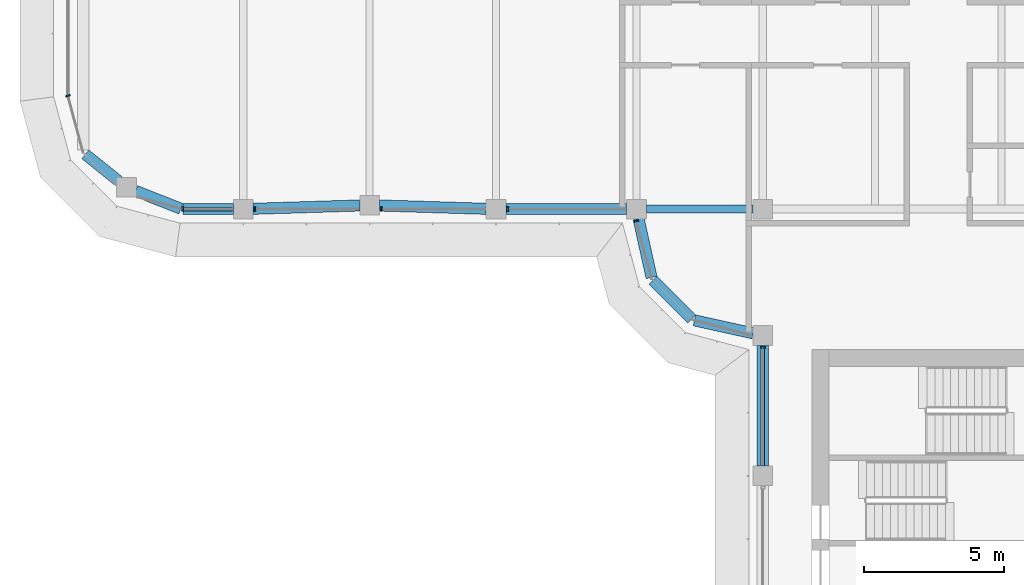
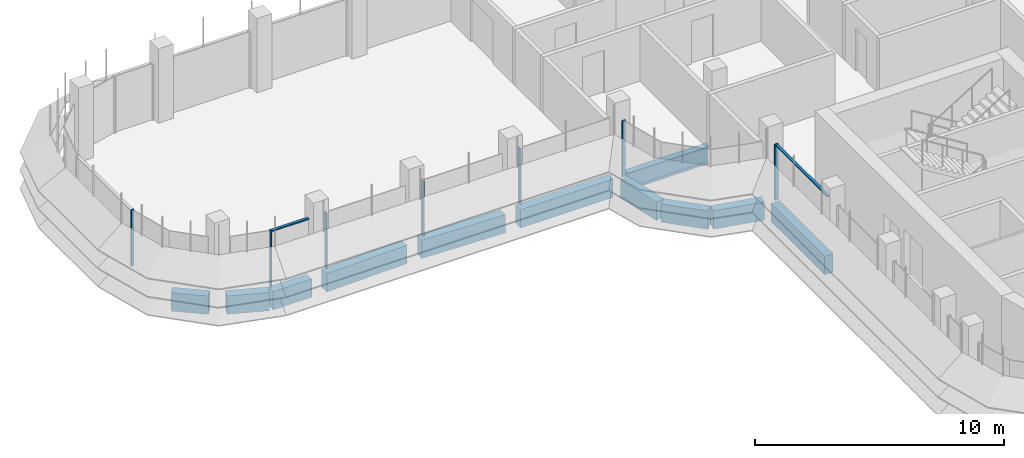
# One storey, part 3 of 19: 11 beams, 9 members, 4 elements without a shape of their own.
"""IFC4 building model written with IfcOpenShell, lengths in metres."""

import ifcopenshell
import ifcopenshell.guid

model = None  # the IFC model being written
_history = None  # IfcOwnerHistory: only IFC2X3 demands one
_inside = {}  # id of a spatial element -> (the spatial element, [elements in it])
_under = {}  # id of a project, library or spatial element -> (it, [spatial elements below it])
_declared = {}  # id of a project -> (the project, [libraries it declares])
_typed = {}  # id of a type object -> (the type object, [elements of that type])
_made_of = {}  # id of a material, layer set ... -> (it, [elements and type objects made of it])


def new_model(schema):
    """Start an empty IFC model of exactly this schema.

    Asked for "IFC4X3", IfcOpenShell would pick the latest addendum, in which some entities
    have other attributes; the version numbers below select the first issue.
    IFC2X3 requires an IfcOwnerHistory on every rooted entity: one is made here for all.
    """
    global model, _history
    if schema == "IFC4X3":
        model = ifcopenshell.file(schema_version=(4, 3, 0, 0))
    else:
        model = ifcopenshell.file(schema=schema)
    _inside.clear()
    _under.clear()
    _declared.clear()
    _typed.clear()
    _made_of.clear()
    _history = None
    if model.schema == "IFC2X3":
        org = make("IfcOrganization", Name="unknown")
        user = make(
            "IfcPersonAndOrganization",
            ThePerson=make("IfcPerson", FamilyName="unknown"),
            TheOrganization=org,
        )
        app = make(
            "IfcApplication",
            ApplicationDeveloper=org,
            Version="unknown",
            ApplicationFullName="unknown",
            ApplicationIdentifier="unknown",
        )
        _history = make(
            "IfcOwnerHistory",
            OwningUser=user,
            OwningApplication=app,
            ChangeAction="ADDED",
            CreationDate=0,
        )
    return model


def make(cls, **values):
    """One entity of the class cls with the attributes given. An attribute that is None is left unset."""
    return model.create_entity(
        cls, **{name: value for name, value in values.items() if value is not None}
    )


def rooted(cls, **values):
    """An entity with a GlobalId (a new one), such as an element, a storey or a relation."""
    return make(cls, GlobalId=ifcopenshell.guid.new(), OwnerHistory=_history, **values)


def si_unit(unit_type, name, prefix=None):
    """IfcSIUnit, for example si_unit("LENGTHUNIT", "METRE", prefix="MILLI")."""
    return make("IfcSIUnit", UnitType=unit_type, Prefix=prefix, Name=name)


def assignment(units):
    """IfcUnitAssignment: the units of a project."""
    return None if units is None else make("IfcUnitAssignment", Units=units)


def point(xyz):
    """IfcCartesianPoint."""
    return None if xyz is None else make("IfcCartesianPoint", Coordinates=xyz)


def direction(xyz):
    """IfcDirection."""
    return None if xyz is None else make("IfcDirection", DirectionRatios=xyz)


def frame(location, z_axis=None, x_axis=None):
    """IfcAxis2Placement3D, a coordinate frame: its origin and axes. An axis left out is left unset."""
    return make(
        "IfcAxis2Placement3D",
        Location=point(location),
        Axis=direction(z_axis),
        RefDirection=direction(x_axis),
    )


def frame_2d(location, x_axis=None):
    """IfcAxis2Placement2D, a coordinate frame in the plane: its origin and x axis."""
    return make(
        "IfcAxis2Placement2D", Location=point(location), RefDirection=direction(x_axis)
    )


def origin():
    """The frame at (0, 0, 0) with its axes left unset."""
    return frame((0.0, 0.0, 0.0))


def origin_2d():
    """The frame at (0, 0) in the plane with its x axis left unset."""
    return frame_2d((0.0, 0.0))


def place(relative_to, where):
    """IfcLocalPlacement: puts the frame where relative to a parent placement (None: the world)."""
    return make(
        "IfcLocalPlacement", PlacementRelTo=relative_to, RelativePlacement=where
    )


def context(
    kind, dimensions, precision=None, world=None, true_north=None, identifier=None
):
    """IfcGeometricRepresentationContext, for example the 3D "Model" context."""
    return make(
        "IfcGeometricRepresentationContext",
        ContextIdentifier=identifier,
        ContextType=kind,
        CoordinateSpaceDimension=dimensions,
        Precision=precision,
        WorldCoordinateSystem=world,
        TrueNorth=true_north,
    )


def subcontext(parent, identifier, kind, view, scale=None):
    """IfcGeometricRepresentationSubContext, for example "Body" below "Model"."""
    return make(
        "IfcGeometricRepresentationSubContext",
        ContextIdentifier=identifier,
        ContextType=kind,
        ParentContext=parent,
        TargetScale=scale,
        TargetView=view,
    )


def project(units=None, contexts=None):
    """IfcProject with its units and contexts."""
    return rooted(
        "IfcProject",
        Name="project",
        RepresentationContexts=contexts,
        UnitsInContext=assignment(units),
    )


def spatial(cls, under=None, at=None, **own):
    """A site, building, storey or space (cls), placed at a placement, below another one or the project."""
    s = rooted(cls, ObjectPlacement=at, **own)
    if under is not None:
        _under.setdefault(under.id(), (under, []))[1].append(s)
    return s


def polyline(points):
    """IfcPolyline through the points."""
    return make("IfcPolyline", Points=[point(p) for p in points])


def profile(cls, at=None, kind="AREA", **sizes):
    """A parametric profile (cls). Its sizes go by their IFC names, for example OverallWidth=200.0."""
    return make(cls, ProfileType=kind, Position=at, **sizes)


def rectangle(**sizes):
    """IfcRectangleProfileDef."""
    return profile("IfcRectangleProfileDef", **sizes)


def i_section(**sizes):
    """IfcIShapeProfileDef."""
    return profile("IfcIShapeProfileDef", **sizes)


def outline(outer, holes=None, kind="AREA"):
    """IfcArbitraryClosedProfileDef: a profile drawn as a closed curve; with holes, ...WithVoids."""
    if holes is None:
        return make("IfcArbitraryClosedProfileDef", ProfileType=kind, OuterCurve=outer)
    return make(
        "IfcArbitraryProfileDefWithVoids",
        ProfileType=kind,
        OuterCurve=outer,
        InnerCurves=holes,
    )


def extrude(swept, where, along, depth):
    """IfcExtrudedAreaSolid: the profile swept, set in the frame where, extruded along a direction by depth."""
    return make(
        "IfcExtrudedAreaSolid",
        SweptArea=swept,
        Position=where,
        ExtrudedDirection=direction(along),
        Depth=depth,
    )


def shape(context_of_items, identifier, shape_type, items):
    """IfcShapeRepresentation: the items that make up one representation, for example the "Body"."""
    return make(
        "IfcShapeRepresentation",
        ContextOfItems=context_of_items,
        RepresentationIdentifier=identifier,
        RepresentationType=shape_type,
        Items=items,
    )


def source(mapping_origin, context_of_items, identifier, shape_type, items):
    """IfcRepresentationMap: a shape defined once, which mapped items show again and again."""
    return make(
        "IfcRepresentationMap",
        MappingOrigin=mapping_origin,
        MappedRepresentation=shape(context_of_items, identifier, shape_type, items),
    )


def transform(
    local_origin,
    x_axis=None,
    y_axis=None,
    z_axis=None,
    scale=None,
    scale2=None,
    scale3=None,
    uniform=True,
):
    """IfcCartesianTransformationOperator3D, or its non-uniform kind. x_axis, y_axis, z_axis: its Axis1, 2, 3."""
    if uniform:
        return make(
            "IfcCartesianTransformationOperator3D",
            Axis1=direction(x_axis),
            Axis2=direction(y_axis),
            LocalOrigin=point(local_origin),
            Scale=scale,
            Axis3=direction(z_axis),
        )
    return make(
        "IfcCartesianTransformationOperator3DnonUniform",
        Axis1=direction(x_axis),
        Axis2=direction(y_axis),
        LocalOrigin=point(local_origin),
        Scale=scale,
        Axis3=direction(z_axis),
        Scale2=scale2,
        Scale3=scale3,
    )


def mapped(mapping_source, mapping_target):
    """IfcMappedItem: shows the shape of a source again, moved by a transform."""
    return make(
        "IfcMappedItem", MappingSource=mapping_source, MappingTarget=mapping_target
    )


def material(Name=None, Category=None):
    """IfcMaterial."""
    return make("IfcMaterial", Name=Name, Category=Category)


def material_profile(
    of_material, cross_section, Name=None, Category=None, Priority=None
):
    """IfcMaterialProfile: a cross section and its material."""
    return make(
        "IfcMaterialProfile",
        Name=Name,
        Material=of_material,
        Profile=cross_section,
        Priority=Priority,
        Category=Category,
    )


def profile_set(profiles, Name=None, composite=None):
    """IfcMaterialProfileSet."""
    return make(
        "IfcMaterialProfileSet",
        Name=Name,
        MaterialProfiles=profiles,
        CompositeProfile=composite,
    )


def made_of(thing, what):
    """Note that an element or type object is made of a material, layer set ...; save() writes the relation."""
    if what is not None:
        _made_of.setdefault(what.id(), (what, []))[1].append(thing)
    return thing


def type_object(cls, material=None, **own):
    """A type object (cls), such as IfcWallType, which elements share."""
    return made_of(rooted(cls, **own), material)


def element(
    cls,
    number,
    at=None,
    inside=None,
    cuts=None,
    type_object=None,
    material=None,
    context=None,
    identifier="Body",
    shape_type=None,
    held_by="IfcProductDefinitionShape",
    body=None,
    shapes=None,
    **own,
):
    """One element of the class cls, such as IfcWall. Its Tag is "e" and its number.

    at: its placement. inside: the storey or other place that contains it. cuts: it is an
    opening in that element (IfcRelVoidsElement). A single representation is given by context,
    identifier, shape_type and body (its items); several are given by shapes. held_by: the class
    of the entity that holds the representations. save() writes the other relations.
    """
    e = rooted(cls, Tag="e%d" % number, ObjectPlacement=at, **own)
    if body is not None:
        shapes = [shape(context, identifier, shape_type, body)]
    if shapes is not None:
        e.Representation = make(held_by, Representations=shapes)
    if inside is not None:
        _inside.setdefault(inside.id(), (inside, []))[1].append(e)
    if cuts is not None:
        rooted(
            "IfcRelVoidsElement", RelatingBuildingElement=cuts, RelatedOpeningElement=e
        )
    if type_object is not None:
        _typed.setdefault(type_object.id(), (type_object, []))[1].append(e)
    return made_of(e, material)


def aggregate(whole, parts):
    """IfcRelAggregates: a whole, such as a stair, and the parts it consists of."""
    return rooted("IfcRelAggregates", RelatingObject=whole, RelatedObjects=parts)


def save(model, path):
    """Write the relations noted so far, then the file.

    IfcRelAggregates (storeys below a building ...), IfcRelContainedInSpatialStructure (elements
    in a storey), IfcRelDefinesByType, IfcRelAssociatesMaterial and IfcRelDeclares: one each for
    every whole, place, type object, material and project.
    """
    for whole, parts in _under.values():
        aggregate(whole, parts)
    for where, things in _inside.values():
        rooted(
            "IfcRelContainedInSpatialStructure",
            RelatedElements=things,
            RelatingStructure=where,
        )
    for kind, things in _typed.values():
        rooted("IfcRelDefinesByType", RelatedObjects=things, RelatingType=kind)
    for what, things in _made_of.values():
        rooted("IfcRelAssociatesMaterial", RelatedObjects=things, RelatingMaterial=what)
    for by, libraries in _declared.values():
        rooted("IfcRelDeclares", RelatingContext=by, RelatedDefinitions=libraries)
    model.write(path)


model = new_model("IFC4")

# Units and contexts
model_context = context("Model", 3, precision=1e-05, world=origin(), true_north=direction((0.0, 1.0)))
body_context = subcontext(model_context, "Body", "Model", "MODEL_VIEW")
ifc_project = project(units=[si_unit("LENGTHUNIT", "METRE"), si_unit("AREAUNIT", "SQUARE_METRE"), si_unit("VOLUMEUNIT", "CUBIC_METRE"), si_unit("PLANEANGLEUNIT", "RADIAN"), si_unit("MASSUNIT", "GRAM", prefix="KILO")], contexts=[model_context])

# Site, building, storey
site_placement = place(None, origin())
site = spatial("IfcSite", under=ifc_project, at=site_placement, CompositionType="ELEMENT")
building_placement = place(site_placement, origin())
building = spatial("IfcBuilding", under=site, at=building_placement, Name="Zarbagh Exchange Tower", CompositionType="ELEMENT")
storey_placement = place(building_placement, frame((0.0, 0.0, 225.800048828125)))
storey = spatial("IfcBuildingStorey", under=building, at=storey_placement, Name="L55", CompositionType="ELEMENT", Elevation=225.800048828125)

# Beams
ifc_material_1 = material(Name="Steel ASTM A992 Gr 50", Category="steel")
ifc_material_profile_1 = material_profile(ifc_material_1, i_section(OverallWidth=0.2919921875, OverallDepth=0.835693359375, WebThickness=0.013916015625, FlangeThickness=0.018798828125, at=origin_2d()), Name="W33X118")
ifc_profile_set_1 = profile_set([ifc_material_profile_1], Name="Steel ASTM A992 Gr 50")
beam_type_1 = type_object("IfcBeamType", Name="Floor girder W33X118", PredefinedType="BEAM", material=ifc_profile_set_1)
beam_1_placement = place(storey_placement, frame((-10.39990234375, -6.25, -0.56787109375), z_axis=(1.0, 0.0, 0.0), x_axis=(0.0, 1.0, 0.0)))
element("IfcBeam", 1, at=beam_1_placement, inside=storey, type_object=beam_type_1, Name="Steel girder", PredefinedType="BEAM", context=body_context, shape_type="SweptSolid", body=[
    extrude(i_section(OverallWidth=0.2919921875, OverallDepth=0.835693359375, WebThickness=0.013916015625, FlangeThickness=0.018798828125, at=origin_2d()), origin(), (0.0, 0.0, 1.0), 3.7998046875),
])
ifc_material_2 = material(Name="Concrete C50/60", Category="concrete")
ifc_material_profile_2 = material_profile(ifc_material_2, rectangle(XDim=0.39990234375, YDim=0.89990234375, at=origin_2d()), Name="RC spandrel beam 400 x 900 C50/60")
ifc_profile_set_2 = profile_set([ifc_material_profile_2], Name="Concrete C50/60")
beam_type_2 = type_object("IfcBeamType", Name="RC spandrel beam 400 x 900 C50/60", PredefinedType="SPANDREL", material=ifc_profile_set_2)
beam_2_placement = place(storey_placement, frame((-6.25, -15.39990234375, -0.60009765625), z_axis=(0.0, 1.0, 0.0), x_axis=(-1.0, 0.0, 0.0)))
element("IfcBeam", 2, at=beam_2_placement, inside=storey, type_object=beam_type_2, Name="RC spandrel beam", PredefinedType="SPANDREL", context=body_context, shape_type="SweptSolid", body=[
    extrude(rectangle(XDim=0.39990234375, YDim=0.89990234375, at=origin_2d()), origin(), (0.0, 0.0, 1.0), 4.2998046875),
])
beam_3_placement = place(storey_placement, frame((-6.591796875, -10.67431640625, -0.60009765625), z_axis=(-0.97639036545, 0.216013551096, 0.0), x_axis=(-0.216013551096, -0.97639036545, 0.0)))
element("IfcBeam", 3, at=beam_3_placement, inside=storey, type_object=beam_type_2, Name="RC spandrel beam", PredefinedType="SPANDREL", context=body_context, shape_type="SweptSolid", body=[
    extrude(rectangle(XDim=0.39990234375, YDim=0.89990234375, at=origin_2d()), origin(), (0.0, 0.0, 1.0), 2.142822265625),
])
beam_4_placement = place(storey_placement, frame((-8.782470703125, -10.15771484375, -0.60009765625), z_axis=(-0.707106781187, 0.707106781187, 0.0), x_axis=(-0.707106781187, -0.707106781187, 0.0)))
element("IfcBeam", 4, at=beam_4_placement, inside=storey, type_object=beam_type_2, Name="RC spandrel beam", PredefinedType="SPANDREL", context=body_context, shape_type="SweptSolid", body=[
    extrude(rectangle(XDim=0.39990234375, YDim=0.89990234375, at=origin_2d()), origin(), (0.0, 0.0, 1.0), 1.94482421875),
])
beam_5_placement = place(storey_placement, frame((-10.21142578125, -8.68408203125, -0.60009765625), z_axis=(-0.216013551096, 0.97639036545, 0.0), x_axis=(-0.97639036545, -0.216013551096, 0.0)))
element("IfcBeam", 5, at=beam_5_placement, inside=storey, type_object=beam_type_2, Name="RC spandrel beam", PredefinedType="SPANDREL", context=body_context, shape_type="SweptSolid", body=[
    extrude(rectangle(XDim=0.39990234375, YDim=0.89990234375, at=origin_2d()), origin(), (0.0, 0.0, 1.0), 2.142822265625),
])
beam_6_placement = place(storey_placement, frame((-11.10009765625, -6.25, -0.60009765625), z_axis=(-1.0, 0.0, 0.0), x_axis=(0.0, -1.0, 0.0)))
element("IfcBeam", 6, at=beam_6_placement, inside=storey, type_object=beam_type_2, Name="RC spandrel beam", PredefinedType="SPANDREL", context=body_context, shape_type="SweptSolid", body=[
    extrude(rectangle(XDim=0.39990234375, YDim=0.89990234375, at=origin_2d()), origin(), (0.0, 0.0, 1.0), 4.2998046875),
])
for number, where, z_axis, x_axis, name in (
    (7, (-16.099853515625, -6.239013671875, -0.60009765625), (-0.999516950199, 0.031078389046, 0.0), (-0.031078389046, -0.999516950199, 0.0), "RC spandrel beam"),
    (8, (-20.599853515625, -6.120849609375, -0.60009765625), (-0.999516950199, -0.031078389046, 0.0), (0.031078389046, -0.999516950199, 0.0), "RC spandrel beam"),
):
    element("IfcBeam", number, at=place(storey_placement, frame(where, z_axis=z_axis, x_axis=x_axis)), inside=storey, type_object=beam_type_2, Name=name, PredefinedType="SPANDREL", context=body_context, shape_type="SweptSolid", body=[
        extrude(rectangle(XDim=0.39990234375, YDim=0.89990234375, at=origin_2d()), origin(), (0.0, 0.0, 1.0), 3.80224609375),
    ])
beam_7_placement = place(storey_placement, frame((-25.10009765625, -6.25, -0.60009765625), z_axis=(-1.0, 0.0, 0.0), x_axis=(0.0, -1.0, 0.0)))
element("IfcBeam", 9, at=beam_7_placement, inside=storey, type_object=beam_type_2, Name="RC spandrel beam", PredefinedType="SPANDREL", context=body_context, shape_type="SweptSolid", body=[
    extrude(rectangle(XDim=0.39990234375, YDim=0.89990234375, at=origin_2d()), origin(), (0.0, 0.0, 1.0), 1.796142578125),
])
beam_8_placement = place(storey_placement, frame((-26.969482421875, -6.236083984375, -0.60009765625), z_axis=(-0.930809711446, 0.365504146457, 0.0), x_axis=(-0.365504146457, -0.930809711446, 0.0)))
element("IfcBeam", 10, at=beam_8_placement, inside=storey, type_object=beam_type_2, Name="RC spandrel beam", PredefinedType="SPANDREL", context=body_context, shape_type="SweptSolid", body=[
    extrude(rectangle(XDim=0.39990234375, YDim=0.89990234375, at=origin_2d()), origin(), (0.0, 0.0, 1.0), 1.732666015625),
])
beam_9_placement = place(storey_placement, frame((-29.18115234375, -5.256103515625, -0.60009765625), z_axis=(-0.780634897504, 0.62498732531, 0.0), x_axis=(-0.62498732531, -0.780634897504, 0.0)))
element("IfcBeam", 11, at=beam_9_placement, inside=storey, type_object=beam_type_2, Name="RC spandrel beam", PredefinedType="SPANDREL", context=body_context, shape_type="SweptSolid", body=[
    extrude(rectangle(XDim=0.39990234375, YDim=0.89990234375, at=origin_2d()), origin(), (0.0, 0.0, 1.0), 1.52783203125),
])

# Curtain wall, member
ifc_material_3 = material(Name="Anodised aluminium frame and glazing", Category="aluminium")
curtain_wall_type = type_object("IfcCurtainWallType", Name="CWB Ribbon glazing, upper zones", PredefinedType="NOTDEFINED", material=ifc_material_3)
curtain_wall_1_placement = place(storey_placement, origin())
curtain_wall_1 = element("IfcCurtainWall", 12, at=curtain_wall_1_placement, inside=storey, type_object=curtain_wall_type, Name="CWB62 curtain wall", PredefinedType="NOTDEFINED")
ifc_material_4 = material(Name="Anodised aluminium frame", Category="aluminium")
member_type_1 = type_object("IfcMemberType", Name="MUB Mullion, anodised aluminium frame", PredefinedType="MULLION", material=ifc_material_4)
shared_shape_1 = source(origin(), body_context, "Body", "SweptSolid", [
    extrude(outline(polyline([(0.0, -0.080078125), (0.06005859375, -0.080078125), (0.06005859375, 0.080078125), (0.0, 0.080078125), (0.0, -0.080078125)])), origin(), (0.0, 0.0, 1.0), 2.75),
])
placement = place(storey_placement, origin())
member_1 = element("IfcMember", 13, at=placement, type_object=member_type_1, Name="CWB62 mullion 1.1", PredefinedType="MULLION", context=body_context, shape_type="MappedRepresentation", body=[
    mapped(shared_shape_1, transform((-31.0, -2.18408203125, 0.0), x_axis=(0.258824779902, -0.965924289636, 0.0), y_axis=(0.965924289636, 0.258824779902, 0.0), z_axis=(0.0, 0.0, 1.0))),
])
aggregate(curtain_wall_1, [member_1])

# Curtain wall, members
curtain_wall_2_placement = place(storey_placement, origin())
curtain_wall_2 = element("IfcCurtainWall", 14, at=curtain_wall_2_placement, inside=storey, type_object=curtain_wall_type, Name="CWB65 curtain wall", PredefinedType="NOTDEFINED")
member_2 = element("IfcMember", 15, at=placement, type_object=member_type_1, Name="CWB65 mullion 1.1", PredefinedType="MULLION", context=body_context, shape_type="MappedRepresentation", body=[
    mapped(shared_shape_1, transform((-26.93408203125, -6.25, 0.0), x_axis=(1.0, 0.0, 0.0), y_axis=(0.0, 1.0, 0.0), z_axis=(0.0, 0.0, 1.0))),
])
member_3 = element("IfcMember", 16, at=placement, type_object=member_type_1, Name="CWB65 mullion 2.1", PredefinedType="MULLION", context=body_context, shape_type="MappedRepresentation", body=[
    mapped(shared_shape_1, transform((-24.35986328125, -6.25, 0.0), x_axis=(1.0, 0.0, 0.0), y_axis=(0.0, 1.0, 0.0), z_axis=(0.0, 0.0, 1.0))),
])
member_4 = element("IfcMember", 17, at=placement, type_object=member_type_1, Name="CWB65 mullion 3.1", PredefinedType="MULLION", context=body_context, shape_type="MappedRepresentation", body=[
    mapped(shared_shape_1, transform((-19.85986328125, -6.25, 0.0), x_axis=(1.0, 0.0, 0.0), y_axis=(0.0, 1.0, 0.0), z_axis=(0.0, 0.0, 1.0))),
])
member_5 = element("IfcMember", 18, at=placement, type_object=member_type_1, Name="CWB65 mullion 4.1", PredefinedType="MULLION", context=body_context, shape_type="MappedRepresentation", body=[
    mapped(shared_shape_1, transform((-15.35986328125, -6.25, 0.0), x_axis=(1.0, 0.0, 0.0), y_axis=(0.0, 1.0, 0.0), z_axis=(0.0, 0.0, 1.0))),
])

# Curtain wall, member
curtain_wall_3_placement = place(storey_placement, origin())
curtain_wall_3 = element("IfcCurtainWall", 19, at=curtain_wall_3_placement, inside=storey, type_object=curtain_wall_type, Name="CWB41 curtain wall", PredefinedType="NOTDEFINED")
member_6 = element("IfcMember", 20, at=placement, type_object=member_type_1, Name="CWB41 mullion 1.1", PredefinedType="MULLION", context=body_context, shape_type="MappedRepresentation", body=[
    mapped(shared_shape_1, transform((-10.76171875, -6.64013671875, 0.0), x_axis=(0.258824779902, -0.965924289636, 0.0), y_axis=(0.965924289636, 0.258824779902, 0.0), z_axis=(0.0, 0.0, 1.0))),
])
aggregate(curtain_wall_3, [member_6])

curtain_wall_4_placement = place(storey_placement, origin())
curtain_wall_4 = element("IfcCurtainWall", 21, at=curtain_wall_4_placement, inside=storey, type_object=curtain_wall_type, Name="CWB53 curtain wall", PredefinedType="NOTDEFINED")
member_7 = element("IfcMember", 22, at=placement, type_object=member_type_1, Name="CWB53 mullion 1.1", PredefinedType="MULLION", context=body_context, shape_type="MappedRepresentation", body=[
    mapped(shared_shape_1, transform((-6.25, -11.14013671875, 0.0), x_axis=(0.0, -1.0, 0.0), y_axis=(1.0, 0.0, 0.0), z_axis=(0.0, 0.0, 1.0))),
])

# Member
member_type_2 = type_object("IfcMemberType", Name="TRB Transom, anodised aluminium frame", PredefinedType="USERDEFINED", material=ifc_material_4)
shared_shape_2 = source(origin(), body_context, "Body", "SweptSolid", [
    extrude(outline(polyline([(-0.06005859375, -0.06005859375), (0.0, -0.06005859375), (0.0, 0.06005859375), (-0.06005859375, 0.06005859375), (-0.06005859375, -0.06005859375)])), origin(), (0.0, 0.0, 1.0), 1.734130859375),
])
member_8 = element("IfcMember", 23, at=placement, type_object=member_type_2, Name="CWB65 transom 1.1", ObjectType="TRANSOM", PredefinedType="USERDEFINED", context=body_context, shape_type="MappedRepresentation", body=[
    mapped(shared_shape_2, transform((-26.874267578125, -6.25, 2.75), x_axis=(0.0, 0.0, 1.0), y_axis=(0.0, -1.0, 0.0), z_axis=(1.0, 0.0, 0.0))),
])

aggregate(curtain_wall_2, [member_2, member_8, member_3, member_4, member_5])

shared_shape_3 = source(origin(), body_context, "Body", "SweptSolid", [
    extrude(outline(polyline([(-0.06005859375, -0.06005859375), (0.0, -0.06005859375), (0.0, 0.06005859375), (-0.06005859375, 0.06005859375), (-0.06005859375, -0.06005859375)])), origin(), (0.0, 0.0, 1.0), 4.159912109375),
])
member_9 = element("IfcMember", 24, at=placement, type_object=member_type_2, Name="CWB53 transom 1.1", ObjectType="TRANSOM", PredefinedType="USERDEFINED", context=body_context, shape_type="MappedRepresentation", body=[
    mapped(shared_shape_3, transform((-6.25, -11.199951171875, 2.75), x_axis=(0.0, 0.0, 1.0), y_axis=(-1.0, 0.0, 0.0), z_axis=(0.0, -1.0, 0.0))),
])

aggregate(curtain_wall_4, [member_7, member_9])

save(model, "model.ifc")
